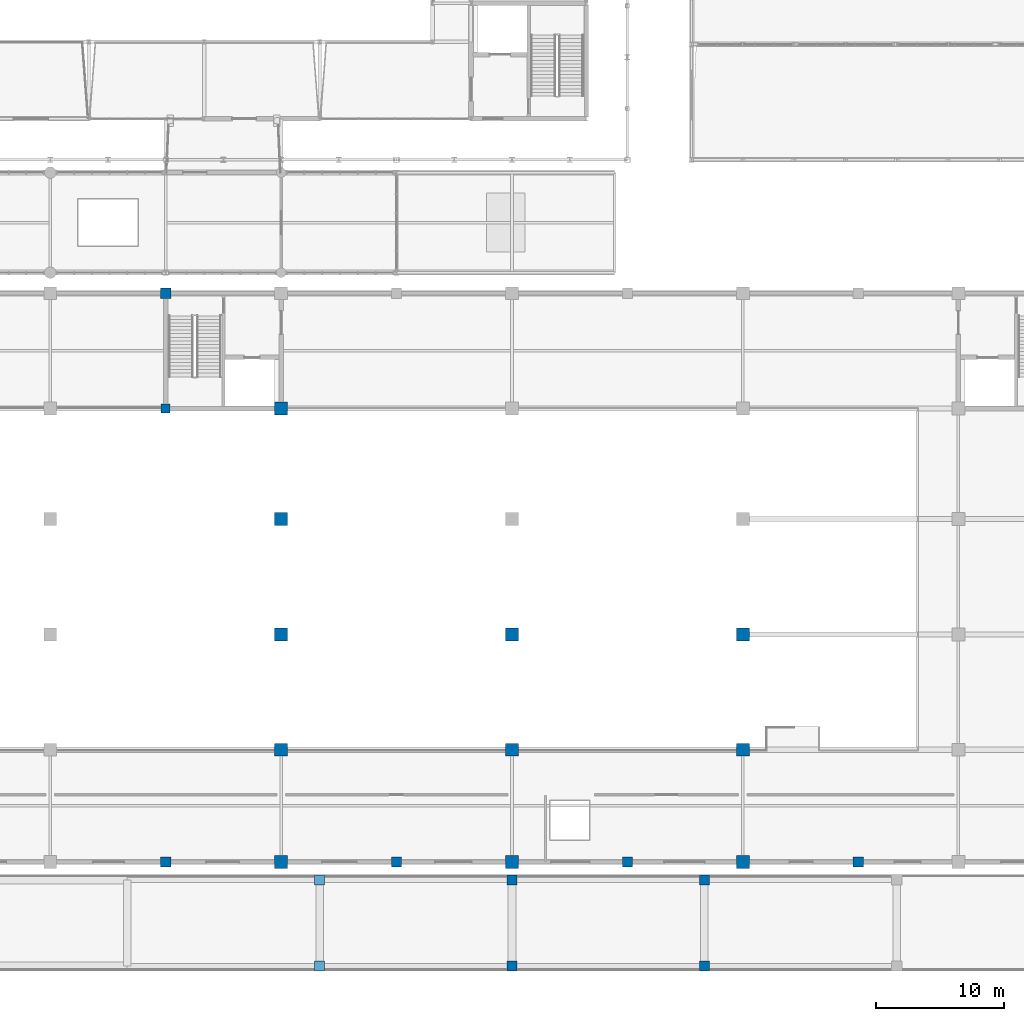
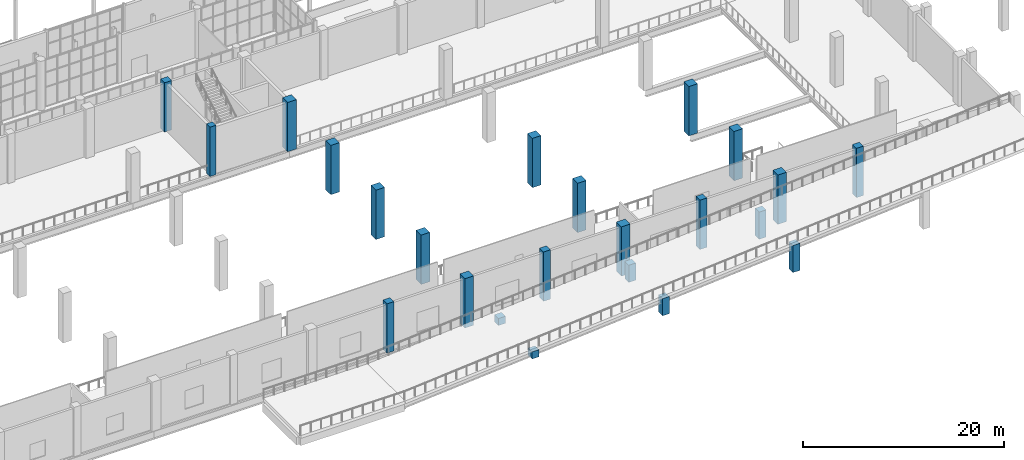
# One storey, part 16 of 159: 23 columns.
"""IFC4 building model written with IfcOpenShell, lengths in metres."""

import ifcopenshell
import ifcopenshell.guid

model = None  # the IFC model being written
_history = None  # IfcOwnerHistory: only IFC2X3 demands one
_inside = {}  # id of a spatial element -> (the spatial element, [elements in it])
_under = {}  # id of a project, library or spatial element -> (it, [spatial elements below it])
_declared = {}  # id of a project -> (the project, [libraries it declares])
_typed = {}  # id of a type object -> (the type object, [elements of that type])
_made_of = {}  # id of a material, layer set ... -> (it, [elements and type objects made of it])


def new_model(schema):
    """Start an empty IFC model of exactly this schema.

    Asked for "IFC4X3", IfcOpenShell would pick the latest addendum, in which some entities
    have other attributes; the version numbers below select the first issue.
    IFC2X3 requires an IfcOwnerHistory on every rooted entity: one is made here for all.
    """
    global model, _history
    if schema == "IFC4X3":
        model = ifcopenshell.file(schema_version=(4, 3, 0, 0))
    else:
        model = ifcopenshell.file(schema=schema)
    _inside.clear()
    _under.clear()
    _declared.clear()
    _typed.clear()
    _made_of.clear()
    _history = None
    if model.schema == "IFC2X3":
        org = make("IfcOrganization", Name="unknown")
        user = make(
            "IfcPersonAndOrganization",
            ThePerson=make("IfcPerson", FamilyName="unknown"),
            TheOrganization=org,
        )
        app = make(
            "IfcApplication",
            ApplicationDeveloper=org,
            Version="unknown",
            ApplicationFullName="unknown",
            ApplicationIdentifier="unknown",
        )
        _history = make(
            "IfcOwnerHistory",
            OwningUser=user,
            OwningApplication=app,
            ChangeAction="ADDED",
            CreationDate=0,
        )
    return model


def make(cls, **values):
    """One entity of the class cls with the attributes given. An attribute that is None is left unset."""
    return model.create_entity(
        cls, **{name: value for name, value in values.items() if value is not None}
    )


def rooted(cls, **values):
    """An entity with a GlobalId (a new one), such as an element, a storey or a relation."""
    return make(cls, GlobalId=ifcopenshell.guid.new(), OwnerHistory=_history, **values)


def si_unit(unit_type, name, prefix=None):
    """IfcSIUnit, for example si_unit("LENGTHUNIT", "METRE", prefix="MILLI")."""
    return make("IfcSIUnit", UnitType=unit_type, Prefix=prefix, Name=name)


def assignment(units):
    """IfcUnitAssignment: the units of a project."""
    return None if units is None else make("IfcUnitAssignment", Units=units)


def point(xyz):
    """IfcCartesianPoint."""
    return None if xyz is None else make("IfcCartesianPoint", Coordinates=xyz)


def direction(xyz):
    """IfcDirection."""
    return None if xyz is None else make("IfcDirection", DirectionRatios=xyz)


def frame(location, z_axis=None, x_axis=None):
    """IfcAxis2Placement3D, a coordinate frame: its origin and axes. An axis left out is left unset."""
    return make(
        "IfcAxis2Placement3D",
        Location=point(location),
        Axis=direction(z_axis),
        RefDirection=direction(x_axis),
    )


def frame_2d(location, x_axis=None):
    """IfcAxis2Placement2D, a coordinate frame in the plane: its origin and x axis."""
    return make(
        "IfcAxis2Placement2D", Location=point(location), RefDirection=direction(x_axis)
    )


def origin():
    """The frame at (0, 0, 0) with its axes left unset."""
    return frame((0.0, 0.0, 0.0))


def origin_2d():
    """The frame at (0, 0) in the plane with its x axis left unset."""
    return frame_2d((0.0, 0.0))


def place(relative_to, where):
    """IfcLocalPlacement: puts the frame where relative to a parent placement (None: the world)."""
    return make(
        "IfcLocalPlacement", PlacementRelTo=relative_to, RelativePlacement=where
    )


def context(
    kind, dimensions, precision=None, world=None, true_north=None, identifier=None
):
    """IfcGeometricRepresentationContext, for example the 3D "Model" context."""
    return make(
        "IfcGeometricRepresentationContext",
        ContextIdentifier=identifier,
        ContextType=kind,
        CoordinateSpaceDimension=dimensions,
        Precision=precision,
        WorldCoordinateSystem=world,
        TrueNorth=true_north,
    )


def subcontext(parent, identifier, kind, view, scale=None):
    """IfcGeometricRepresentationSubContext, for example "Body" below "Model"."""
    return make(
        "IfcGeometricRepresentationSubContext",
        ContextIdentifier=identifier,
        ContextType=kind,
        ParentContext=parent,
        TargetScale=scale,
        TargetView=view,
    )


def project(units=None, contexts=None):
    """IfcProject with its units and contexts."""
    return rooted(
        "IfcProject",
        Name="project",
        RepresentationContexts=contexts,
        UnitsInContext=assignment(units),
    )


def spatial(cls, under=None, at=None, **own):
    """A site, building, storey or space (cls), placed at a placement, below another one or the project."""
    s = rooted(cls, ObjectPlacement=at, **own)
    if under is not None:
        _under.setdefault(under.id(), (under, []))[1].append(s)
    return s


def profile(cls, at=None, kind="AREA", **sizes):
    """A parametric profile (cls). Its sizes go by their IFC names, for example OverallWidth=200.0."""
    return make(cls, ProfileType=kind, Position=at, **sizes)


def rectangle(**sizes):
    """IfcRectangleProfileDef."""
    return profile("IfcRectangleProfileDef", **sizes)


def extrude(swept, where, along, depth):
    """IfcExtrudedAreaSolid: the profile swept, set in the frame where, extruded along a direction by depth."""
    return make(
        "IfcExtrudedAreaSolid",
        SweptArea=swept,
        Position=where,
        ExtrudedDirection=direction(along),
        Depth=depth,
    )


def shape(context_of_items, identifier, shape_type, items):
    """IfcShapeRepresentation: the items that make up one representation, for example the "Body"."""
    return make(
        "IfcShapeRepresentation",
        ContextOfItems=context_of_items,
        RepresentationIdentifier=identifier,
        RepresentationType=shape_type,
        Items=items,
    )


def material(Name=None, Category=None):
    """IfcMaterial."""
    return make("IfcMaterial", Name=Name, Category=Category)


def material_profile(
    of_material, cross_section, Name=None, Category=None, Priority=None
):
    """IfcMaterialProfile: a cross section and its material."""
    return make(
        "IfcMaterialProfile",
        Name=Name,
        Material=of_material,
        Profile=cross_section,
        Priority=Priority,
        Category=Category,
    )


def profile_set(profiles, Name=None, composite=None):
    """IfcMaterialProfileSet."""
    return make(
        "IfcMaterialProfileSet",
        Name=Name,
        MaterialProfiles=profiles,
        CompositeProfile=composite,
    )


def made_of(thing, what):
    """Note that an element or type object is made of a material, layer set ...; save() writes the relation."""
    if what is not None:
        _made_of.setdefault(what.id(), (what, []))[1].append(thing)
    return thing


def type_object(cls, material=None, **own):
    """A type object (cls), such as IfcWallType, which elements share."""
    return made_of(rooted(cls, **own), material)


def element(
    cls,
    number,
    at=None,
    inside=None,
    cuts=None,
    type_object=None,
    material=None,
    context=None,
    identifier="Body",
    shape_type=None,
    held_by="IfcProductDefinitionShape",
    body=None,
    shapes=None,
    **own,
):
    """One element of the class cls, such as IfcWall. Its Tag is "e" and its number.

    at: its placement. inside: the storey or other place that contains it. cuts: it is an
    opening in that element (IfcRelVoidsElement). A single representation is given by context,
    identifier, shape_type and body (its items); several are given by shapes. held_by: the class
    of the entity that holds the representations. save() writes the other relations.
    """
    e = rooted(cls, Tag="e%d" % number, ObjectPlacement=at, **own)
    if body is not None:
        shapes = [shape(context, identifier, shape_type, body)]
    if shapes is not None:
        e.Representation = make(held_by, Representations=shapes)
    if inside is not None:
        _inside.setdefault(inside.id(), (inside, []))[1].append(e)
    if cuts is not None:
        rooted(
            "IfcRelVoidsElement", RelatingBuildingElement=cuts, RelatedOpeningElement=e
        )
    if type_object is not None:
        _typed.setdefault(type_object.id(), (type_object, []))[1].append(e)
    return made_of(e, material)


def aggregate(whole, parts):
    """IfcRelAggregates: a whole, such as a stair, and the parts it consists of."""
    return rooted("IfcRelAggregates", RelatingObject=whole, RelatedObjects=parts)


def save(model, path):
    """Write the relations noted so far, then the file.

    IfcRelAggregates (storeys below a building ...), IfcRelContainedInSpatialStructure (elements
    in a storey), IfcRelDefinesByType, IfcRelAssociatesMaterial and IfcRelDeclares: one each for
    every whole, place, type object, material and project.
    """
    for whole, parts in _under.values():
        aggregate(whole, parts)
    for where, things in _inside.values():
        rooted(
            "IfcRelContainedInSpatialStructure",
            RelatedElements=things,
            RelatingStructure=where,
        )
    for kind, things in _typed.values():
        rooted("IfcRelDefinesByType", RelatedObjects=things, RelatingType=kind)
    for what, things in _made_of.values():
        rooted("IfcRelAssociatesMaterial", RelatedObjects=things, RelatingMaterial=what)
    for by, libraries in _declared.values():
        rooted("IfcRelDeclares", RelatingContext=by, RelatedDefinitions=libraries)
    model.write(path)


model = new_model("IFC4")

# Units and contexts
model_context = context("Model", 3, precision=1e-05, world=origin(), true_north=direction((0.0, 1.0)))
body_context = subcontext(model_context, "Body", "Model", "MODEL_VIEW")
ifc_project = project(units=[si_unit("LENGTHUNIT", "METRE"), si_unit("AREAUNIT", "SQUARE_METRE"), si_unit("VOLUMEUNIT", "CUBIC_METRE"), si_unit("PLANEANGLEUNIT", "RADIAN"), si_unit("MASSUNIT", "GRAM", prefix="KILO")], contexts=[model_context])

# Site, building, storey
site_placement = place(None, origin())
site = spatial("IfcSite", under=ifc_project, at=site_placement, CompositionType="ELEMENT")
building_placement = place(site_placement, origin())
building = spatial("IfcBuilding", under=site, at=building_placement, Name="Cazmaro Siding Exhibition Halls", CompositionType="ELEMENT")
storey_placement = place(building_placement, frame((0.0, 0.0, 6.0)))
storey = spatial("IfcBuildingStorey", under=building, at=storey_placement, Name="L01", CompositionType="ELEMENT", Elevation=6.0)

# Columns
ifc_material_1 = material(Name="Concrete f'c 45 MPa", Category="concrete")
ifc_material_profile_1 = material_profile(ifc_material_1, rectangle(XDim=1.0, YDim=1.0, at=origin_2d()), Name="RC1000X1000")
ifc_profile_set_1 = profile_set([ifc_material_profile_1], Name="Concrete f'c 45 MPa")
column_type_1 = type_object("IfcColumnType", Name="C-07", PredefinedType="COLUMN", material=ifc_profile_set_1)
for number, where, z_axis, x_axis, name in (
    (1, (144.0, 9.25, 0.0), (0.0, 0.0, 1.0), (1.0, 0.0, 0.0), "Column C-07 COL-0506"),
    (2, (144.0, 18.0, 0.0), (0.0, 0.0, 1.0), (1.0, 0.0, 0.0), "Column C-07 COL-0508"),
    (3, (144.0, 27.0, 0.0), (0.0, 0.0, 1.0), (1.0, 0.0, 0.0), "Column C-07 COL-0510"),
    (4, (144.0, 36.0, 0.0), (0.0, 0.0, 1.0), (1.0, 0.0, 0.0), "Column C-07 COL-0512"),
    (5, (144.0, 44.60009765625, 0.0), (0.0, 0.0, 1.0), (1.0, 0.0, 0.0), "Column C-07 COL-0514"),
    (6, (162.0, 9.25, 0.0), (0.0, 0.0, 1.0), (1.0, 0.0, 0.0), "Column C-07 COL-0518"),
    (7, (162.0, 18.0, 0.0), (0.0, 0.0, 1.0), (1.0, 0.0, 0.0), "Column C-07 COL-0520"),
    (8, (162.0, 27.0, 0.0), (0.0, 0.0, 1.0), (1.0, 0.0, 0.0), "Column C-07 COL-0522"),
    (9, (180.0, 9.25, 0.0), (0.0, 0.0, 1.0), (1.0, 0.0, 0.0), "Column C-07 COL-0530"),
    (10, (180.0, 18.0, 0.0), (0.0, 0.0, 1.0), (1.0, 0.0, 0.0), "Column C-07 COL-0532"),
    (11, (180.0, 27.0, 0.0), (0.0, 0.0, 1.0), (1.0, 0.0, 0.0), "Column C-07 COL-0534"),
):
    element("IfcColumn", number, at=place(storey_placement, frame(where, z_axis=z_axis, x_axis=x_axis)), inside=storey, type_object=column_type_1, Name=name, PredefinedType="COLUMN", context=body_context, shape_type="SweptSolid", body=[
        extrude(rectangle(XDim=1.0, YDim=1.0, at=origin_2d()), origin(), (0.0, 0.0, 1.0), 6.0),
    ])
ifc_material_2 = material(Name="Concrete f'c 45 MPa", Category="concrete")
ifc_material_profile_2 = material_profile(ifc_material_2, rectangle(XDim=0.800048828125, YDim=0.800048828125, at=origin_2d()), Name="RC800X800")
ifc_profile_set_2 = profile_set([ifc_material_profile_2], Name="Concrete f'c 45 MPa")
column_type_2 = type_object("IfcColumnType", Name="C-08", PredefinedType="COLUMN", material=ifc_profile_set_2)
for number, where, z_axis, x_axis, name in (
    (12, (135.0, 9.25, 0.0), (0.0, 0.0, 1.0), (1.0, 0.0, 0.0), "Column C-08 COL-0606"),
    (13, (135.0, 53.60009765625, 0.0), (0.0, 0.0, 1.0), (1.0, 0.0, 0.0), "Column C-08 COL-0610"),
    (14, (153.0, 9.25, 0.0), (0.0, 0.0, 1.0), (1.0, 0.0, 0.0), "Column C-08 COL-0618"),
    (15, (171.0, 9.25, 0.0), (0.0, 0.0, 1.0), (1.0, 0.0, 0.0), "Column C-08 COL-0630"),
    (16, (189.0, 9.25, 0.0), (0.0, 0.0, 1.0), (1.0, 0.0, 0.0), "Column C-08 COL-0642"),
):
    element("IfcColumn", number, at=place(storey_placement, frame(where, z_axis=z_axis, x_axis=x_axis)), inside=storey, type_object=column_type_2, Name=name, PredefinedType="COLUMN", context=body_context, shape_type="SweptSolid", body=[
        extrude(rectangle(XDim=0.800048828125, YDim=0.800048828125, at=origin_2d()), origin(), (0.0, 0.0, 1.0), 6.0),
    ])
for number, where, z_axis, x_axis, name in (
    (17, (147.0, 1.14990234375, 0.0), (0.0, 0.0, 1.0), (1.0, 0.0, 0.0), "Column C-08 COL-1134"),
    (18, (147.0, 7.85009765625, 0.0), (0.0, 0.0, 1.0), (1.0, 0.0, 0.0), "Column C-08 COL-1136"),
):
    element("IfcColumn", number, at=place(storey_placement, frame(where, z_axis=z_axis, x_axis=x_axis)), inside=storey, type_object=column_type_2, Name=name, PredefinedType="COLUMN", context=body_context, shape_type="SweptSolid", body=[
        extrude(rectangle(XDim=0.800048828125, YDim=0.800048828125, at=origin_2d()), origin(), (0.0, 0.0, 1.0), 0.864013671875),
    ])
for number, where, z_axis, x_axis, name in (
    (19, (162.0, 1.14990234375, 0.0), (0.0, 0.0, 1.0), (1.0, 0.0, 0.0), "Column C-08 COL-1138"),
    (20, (162.0, 7.85009765625, 0.0), (0.0, 0.0, 1.0), (1.0, 0.0, 0.0), "Column C-08 COL-1140"),
):
    element("IfcColumn", number, at=place(storey_placement, frame(where, z_axis=z_axis, x_axis=x_axis)), inside=storey, type_object=column_type_2, Name=name, PredefinedType="COLUMN", context=body_context, shape_type="SweptSolid", body=[
        extrude(rectangle(XDim=0.800048828125, YDim=0.800048828125, at=origin_2d()), origin(), (0.0, 0.0, 1.0), 2.0830078125),
    ])
for number, where, z_axis, x_axis, name in (
    (21, (177.0, 1.14990234375, 0.0), (0.0, 0.0, 1.0), (1.0, 0.0, 0.0), "Column C-08 COL-1142"),
    (22, (177.0, 7.85009765625, 0.0), (0.0, 0.0, 1.0), (1.0, 0.0, 0.0), "Column C-08 COL-1144"),
):
    element("IfcColumn", number, at=place(storey_placement, frame(where, z_axis=z_axis, x_axis=x_axis)), inside=storey, type_object=column_type_2, Name=name, PredefinedType="COLUMN", context=body_context, shape_type="SweptSolid", body=[
        extrude(rectangle(XDim=0.800048828125, YDim=0.800048828125, at=origin_2d()), origin(), (0.0, 0.0, 1.0), 3.302978515625),
    ])
ifc_material_3 = material(Name="Concrete f'c 45 MPa", Category="concrete")
ifc_material_profile_3 = material_profile(ifc_material_3, rectangle(XDim=0.699951171875, YDim=0.699951171875, at=origin_2d()), Name="RC700X700")
ifc_profile_set_3 = profile_set([ifc_material_profile_3], Name="Concrete f'c 45 MPa")
column_type_3 = type_object("IfcColumnType", Name="C-15", PredefinedType="COLUMN", material=ifc_profile_set_3)
column_placement = place(storey_placement, frame((135.0, 44.60009765625, 0.0), z_axis=(0.0, 0.0, 1.0), x_axis=(1.0, 0.0, 0.0)))
element("IfcColumn", 23, at=column_placement, inside=storey, type_object=column_type_3, Name="Column C-15 COL-0660", PredefinedType="COLUMN", context=body_context, shape_type="SweptSolid", body=[
    extrude(rectangle(XDim=0.699951171875, YDim=0.699951171875, at=origin_2d()), origin(), (0.0, 0.0, 1.0), 6.0),
])

save(model, "model.ifc")
